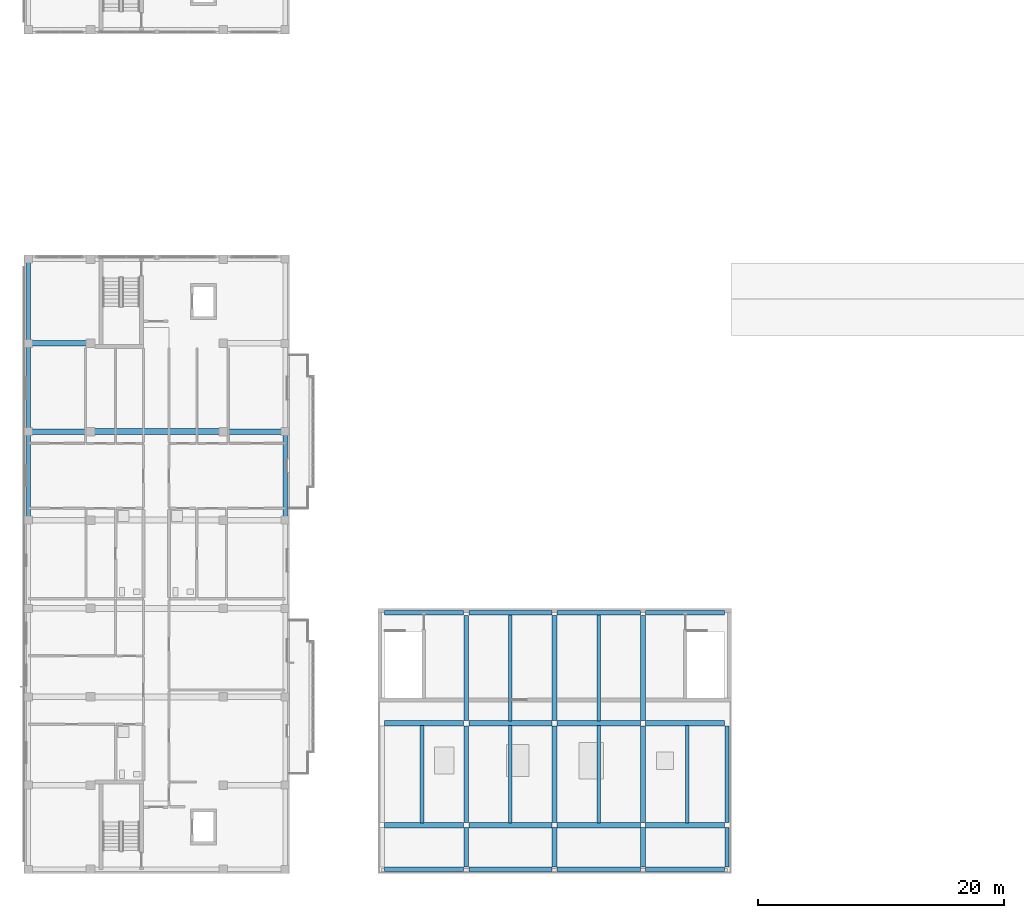
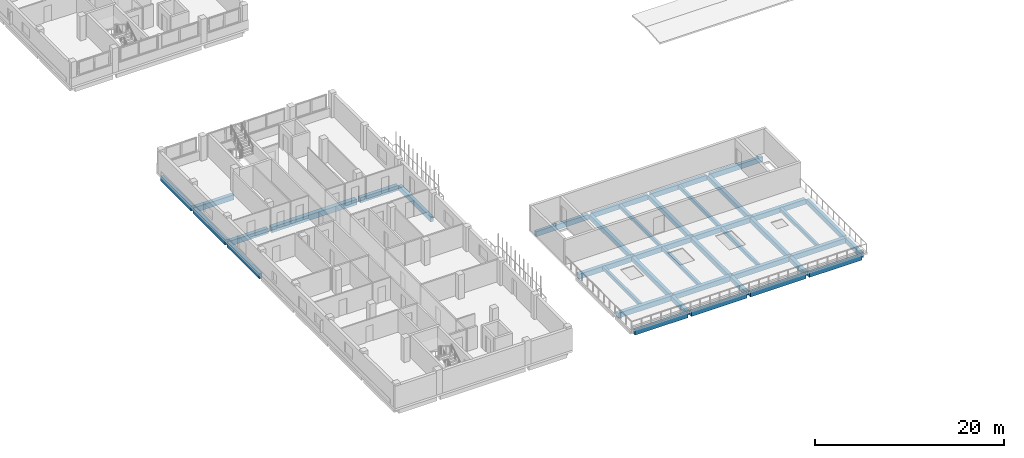
# One storey, part 5 of 56: 41 beams.
"""IFC4 building model written with IfcOpenShell, lengths in metres."""

from ifc_helpers import new_model, si_unit, derived_unit, direction, frame, origin, origin_2d, place, context, subcontext, project, spatial, rectangle, extrude, material, material_profile, profile_set, type_object, element, save


model = new_model("IFC4")

# Units and contexts
model_context = context("Model", 3, precision=1e-05, world=origin(), true_north=direction((0.0, 1.0)))
body_context = subcontext(model_context, "Body", "Model", "MODEL_VIEW")
ifc_project = project(units=[si_unit("LENGTHUNIT", "METRE"), si_unit("AREAUNIT", "SQUARE_METRE"), si_unit("VOLUMEUNIT", "CUBIC_METRE"), si_unit("PLANEANGLEUNIT", "RADIAN"), si_unit("MASSUNIT", "GRAM", prefix="KILO"), derived_unit("THERMALTRANSMITTANCEUNIT", [(si_unit("MASSUNIT", "GRAM", prefix="KILO"), 1), (si_unit("TIMEUNIT", "SECOND"), -3), (si_unit("THERMODYNAMICTEMPERATUREUNIT", "KELVIN"), -1)])], contexts=[model_context])

# Site, building, storey
site_placement = place(None, origin())
site = spatial("IfcSite", under=ifc_project, at=site_placement, CompositionType="ELEMENT")
building_placement = place(site_placement, origin())
building = spatial("IfcBuilding", under=site, at=building_placement, Name="Ochrekiln Boulevard Commons", CompositionType="ELEMENT")
storey_placement = place(building_placement, frame((0.0, 0.0, 12.074951171875)))
storey = spatial("IfcBuildingStorey", under=building, at=storey_placement, Name="L03", CompositionType="ELEMENT", Elevation=12.074951171875)

# Beams
ifc_material_1 = material(Name="Concrete C35/45", Category="concrete")
ifc_material_profile_1 = material_profile(ifc_material_1, rectangle(XDim=0.39990234375, YDim=0.60009765625, at=origin_2d()), Name="RC-BM-400x600")
ifc_profile_set_1 = profile_set([ifc_material_profile_1], Name="Concrete C35/45")
beam_type_1 = type_object("IfcBeamType", Name="BM-RC-400x600", PredefinedType="BEAM", material=ifc_profile_set_1)
beam_1_placement = place(storey_placement, frame((36.0, 0.56005859375, -0.5400390625), z_axis=(0.0, 1.0, 0.0), x_axis=(-1.0, 0.0, 0.0)))
element("IfcBeam", 1, at=beam_1_placement, inside=storey, type_object=beam_type_1, Name="West Boulevard Shops and Arcade L03 Beam B-4060 Y19", PredefinedType="BEAM", context=body_context, shape_type="SweptSolid", body=[
    extrude(rectangle(XDim=0.39990234375, YDim=0.60009765625, at=origin_2d()), origin(), (0.0, 0.0, 1.0), 3.179931640625),
])
beam_2_placement = place(storey_placement, frame((36.0, 4.159912109375, -0.5400390625), z_axis=(0.0, 1.0, 0.0), x_axis=(-1.0, 0.0, 0.0)))
element("IfcBeam", 2, at=beam_2_placement, inside=storey, type_object=beam_type_1, Name="West Boulevard Shops and Arcade L03 Beam B-4060 Y20", PredefinedType="BEAM", context=body_context, shape_type="SweptSolid", body=[
    extrude(rectangle(XDim=0.39990234375, YDim=0.60009765625, at=origin_2d()), origin(), (0.0, 0.0, 1.0), 7.880126953125),
])
beam_3_placement = place(storey_placement, frame((36.0, 12.4599609375, -0.5400390625), z_axis=(0.0, 1.0, 0.0), x_axis=(-1.0, 0.0, 0.0)))
element("IfcBeam", 3, at=beam_3_placement, inside=storey, type_object=beam_type_1, Name="West Boulevard Shops and Arcade L03 Beam B-4060 Y21", PredefinedType="BEAM", context=body_context, shape_type="SweptSolid", body=[
    extrude(rectangle(XDim=0.39990234375, YDim=0.60009765625, at=origin_2d()), origin(), (0.0, 0.0, 1.0), 8.580078125),
])
beam_4_placement = place(storey_placement, frame((43.199951171875, 0.56005859375, -0.5400390625), z_axis=(0.0, 1.0, 0.0), x_axis=(-1.0, 0.0, 0.0)))
element("IfcBeam", 4, at=beam_4_placement, inside=storey, type_object=beam_type_1, Name="West Boulevard Shops and Arcade L03 Beam B-4060 Y22", PredefinedType="BEAM", context=body_context, shape_type="SweptSolid", body=[
    extrude(rectangle(XDim=0.39990234375, YDim=0.60009765625, at=origin_2d()), origin(), (0.0, 0.0, 1.0), 3.179931640625),
])
beam_5_placement = place(storey_placement, frame((43.199951171875, 4.159912109375, -0.5400390625), z_axis=(0.0, 1.0, 0.0), x_axis=(-1.0, 0.0, 0.0)))
element("IfcBeam", 5, at=beam_5_placement, inside=storey, type_object=beam_type_1, Name="West Boulevard Shops and Arcade L03 Beam B-4060 Y23", PredefinedType="BEAM", context=body_context, shape_type="SweptSolid", body=[
    extrude(rectangle(XDim=0.39990234375, YDim=0.60009765625, at=origin_2d()), origin(), (0.0, 0.0, 1.0), 7.880126953125),
])
beam_6_placement = place(storey_placement, frame((43.199951171875, 12.4599609375, -0.5400390625), z_axis=(0.0, 1.0, 0.0), x_axis=(-1.0, 0.0, 0.0)))
element("IfcBeam", 6, at=beam_6_placement, inside=storey, type_object=beam_type_1, Name="West Boulevard Shops and Arcade L03 Beam B-4060 Y24", PredefinedType="BEAM", context=body_context, shape_type="SweptSolid", body=[
    extrude(rectangle(XDim=0.39990234375, YDim=0.60009765625, at=origin_2d()), origin(), (0.0, 0.0, 1.0), 8.580078125),
])
beam_7_placement = place(storey_placement, frame((50.39990234375, 0.56005859375, -0.5400390625), z_axis=(0.0, 1.0, 0.0), x_axis=(-1.0, 0.0, 0.0)))
element("IfcBeam", 7, at=beam_7_placement, inside=storey, type_object=beam_type_1, Name="West Boulevard Shops and Arcade L03 Beam B-4060 Y25", PredefinedType="BEAM", context=body_context, shape_type="SweptSolid", body=[
    extrude(rectangle(XDim=0.39990234375, YDim=0.60009765625, at=origin_2d()), origin(), (0.0, 0.0, 1.0), 3.179931640625),
])
beam_8_placement = place(storey_placement, frame((50.39990234375, 4.159912109375, -0.5400390625), z_axis=(0.0, 1.0, 0.0), x_axis=(-1.0, 0.0, 0.0)))
element("IfcBeam", 8, at=beam_8_placement, inside=storey, type_object=beam_type_1, Name="West Boulevard Shops and Arcade L03 Beam B-4060 Y26", PredefinedType="BEAM", context=body_context, shape_type="SweptSolid", body=[
    extrude(rectangle(XDim=0.39990234375, YDim=0.60009765625, at=origin_2d()), origin(), (0.0, 0.0, 1.0), 7.880126953125),
])
beam_9_placement = place(storey_placement, frame((50.39990234375, 12.4599609375, -0.5400390625), z_axis=(0.0, 1.0, 0.0), x_axis=(-1.0, 0.0, 0.0)))
element("IfcBeam", 9, at=beam_9_placement, inside=storey, type_object=beam_type_1, Name="West Boulevard Shops and Arcade L03 Beam B-4060 Y27", PredefinedType="BEAM", context=body_context, shape_type="SweptSolid", body=[
    extrude(rectangle(XDim=0.39990234375, YDim=0.60009765625, at=origin_2d()), origin(), (0.0, 0.0, 1.0), 8.580078125),
])
ifc_material_profile_2 = material_profile(ifc_material_1, rectangle(XDim=0.449951171875, YDim=0.64990234375, at=origin_2d()), Name="RC-BM-450x650")
ifc_profile_set_2 = profile_set([ifc_material_profile_2], Name="Concrete C35/45")
beam_type_2 = type_object("IfcBeamType", Name="BM-RC-450x650", PredefinedType="BEAM", material=ifc_profile_set_2)
beam_10_placement = place(storey_placement, frame((0.56005859375, 36.0, -0.5849609375), z_axis=(1.0, 0.0, 0.0), x_axis=(0.0, 1.0, 0.0)))
element("IfcBeam", 10, at=beam_10_placement, inside=storey, type_object=beam_type_2, Name="Block D L03 Beam B-4565 X15", PredefinedType="BEAM", context=body_context, shape_type="SweptSolid", body=[
    extrude(rectangle(XDim=0.449951171875, YDim=0.64990234375, at=origin_2d()), origin(), (0.0, 0.0, 1.0), 4.6298828125),
])
beam_11_placement = place(storey_placement, frame((16.409912109375, 36.0, -0.5849609375), z_axis=(1.0, 0.0, 0.0), x_axis=(0.0, 1.0, 0.0)))
element("IfcBeam", 11, at=beam_11_placement, inside=storey, type_object=beam_type_2, Name="Block D L03 Beam B-4565 X17", PredefinedType="BEAM", context=body_context, shape_type="SweptSolid", body=[
    extrude(rectangle(XDim=0.449951171875, YDim=0.64990234375, at=origin_2d()), origin(), (0.0, 0.0, 1.0), 4.630126953125),
])
beam_12_placement = place(storey_placement, frame((0.56005859375, 43.199951171875, -0.5849609375), z_axis=(1.0, 0.0, 0.0), x_axis=(0.0, 1.0, 0.0)))
element("IfcBeam", 12, at=beam_12_placement, inside=storey, type_object=beam_type_2, Name="Block D L03 Beam B-4565 X18", PredefinedType="BEAM", context=body_context, shape_type="SweptSolid", body=[
    extrude(rectangle(XDim=0.449951171875, YDim=0.64990234375, at=origin_2d()), origin(), (0.0, 0.0, 1.0), 4.6298828125),
])
beam_13_placement = place(storey_placement, frame((29.360107421875, 3.949951171875, -0.56494140625), z_axis=(1.0, 0.0, 0.0), x_axis=(0.0, 1.0, 0.0)))
element("IfcBeam", 13, at=beam_13_placement, inside=storey, type_object=beam_type_2, Name="West Boulevard Shops and Arcade L03 Beam B-4565 X5", PredefinedType="BEAM", context=body_context, shape_type="SweptSolid", body=[
    extrude(rectangle(XDim=0.449951171875, YDim=0.64990234375, at=origin_2d()), origin(), (0.0, 0.0, 1.0), 6.429931640625),
])
for number, where, z_axis, x_axis, name in (
    (14, (36.2099609375, 3.949951171875, -0.56494140625), (1.0, 0.0, 0.0), (0.0, 1.0, 0.0), "West Boulevard Shops and Arcade L03 Beam B-4565 X6"),
    (15, (43.409912109375, 3.949951171875, -0.56494140625), (1.0, 0.0, 0.0), (0.0, 1.0, 0.0), "West Boulevard Shops and Arcade L03 Beam B-4565 X7"),
):
    element("IfcBeam", number, at=place(storey_placement, frame(where, z_axis=z_axis, x_axis=x_axis)), inside=storey, type_object=beam_type_2, Name=name, PredefinedType="BEAM", context=body_context, shape_type="SweptSolid", body=[
        extrude(rectangle(XDim=0.449951171875, YDim=0.64990234375, at=origin_2d()), origin(), (0.0, 0.0, 1.0), 6.780029296875),
    ])
for number, where, z_axis, x_axis, name in (
    (16, (50.610107421875, 3.949951171875, -0.56494140625), (1.0, 0.0, 0.0), (0.0, 1.0, 0.0), "West Boulevard Shops and Arcade L03 Beam B-4565 X8"),
    (17, (29.360107421875, 12.25, -0.56494140625), (1.0, 0.0, 0.0), (0.0, 1.0, 0.0), "West Boulevard Shops and Arcade L03 Beam B-4565 X9"),
):
    element("IfcBeam", number, at=place(storey_placement, frame(where, z_axis=z_axis, x_axis=x_axis)), inside=storey, type_object=beam_type_2, Name=name, PredefinedType="BEAM", context=body_context, shape_type="SweptSolid", body=[
        extrude(rectangle(XDim=0.449951171875, YDim=0.64990234375, at=origin_2d()), origin(), (0.0, 0.0, 1.0), 6.429931640625),
    ])
for number, where, z_axis, x_axis, name in (
    (18, (36.2099609375, 12.25, -0.56494140625), (1.0, 0.0, 0.0), (0.0, 1.0, 0.0), "West Boulevard Shops and Arcade L03 Beam B-4565 X10"),
    (19, (43.409912109375, 12.25, -0.56494140625), (1.0, 0.0, 0.0), (0.0, 1.0, 0.0), "West Boulevard Shops and Arcade L03 Beam B-4565 X11"),
):
    element("IfcBeam", number, at=place(storey_placement, frame(where, z_axis=z_axis, x_axis=x_axis)), inside=storey, type_object=beam_type_2, Name=name, PredefinedType="BEAM", context=body_context, shape_type="SweptSolid", body=[
        extrude(rectangle(XDim=0.449951171875, YDim=0.64990234375, at=origin_2d()), origin(), (0.0, 0.0, 1.0), 6.780029296875),
    ])
beam_14_placement = place(storey_placement, frame((50.610107421875, 12.25, -0.56494140625), z_axis=(1.0, 0.0, 0.0), x_axis=(0.0, 1.0, 0.0)))
element("IfcBeam", 20, at=beam_14_placement, inside=storey, type_object=beam_type_2, Name="West Boulevard Shops and Arcade L03 Beam B-4565 X12", PredefinedType="BEAM", context=body_context, shape_type="SweptSolid", body=[
    extrude(rectangle(XDim=0.449951171875, YDim=0.64990234375, at=origin_2d()), origin(), (0.0, 0.0, 1.0), 6.429931640625),
])
ifc_material_2 = material(Name="Concrete C40/50", Category="concrete")
ifc_material_profile_3 = material_profile(ifc_material_2, rectangle(XDim=0.5, YDim=0.699951171875, at=origin_2d()), Name="RC-BM-500x700")
ifc_profile_set_3 = profile_set([ifc_material_profile_3], Name="Concrete C40/50")
beam_type_3 = type_object("IfcBeamType", Name="BM-RC-500x700", PredefinedType="BEAM", material=ifc_profile_set_3)
beam_15_placement = place(storey_placement, frame((5.610107421875, 36.0, -0.60986328125), z_axis=(1.0, 0.0, 0.0), x_axis=(0.0, 1.0, 0.0)))
element("IfcBeam", 21, at=beam_15_placement, inside=storey, type_object=beam_type_3, Name="Block D L03 Beam B-5070 X16", PredefinedType="BEAM", context=body_context, shape_type="SweptSolid", body=[
    extrude(rectangle(XDim=0.5, YDim=0.699951171875, at=origin_2d()), origin(), (0.0, 0.0, 1.0), 10.3798828125),
])
ifc_material_profile_4 = material_profile(ifc_material_1, rectangle(XDim=0.300048828125, YDim=0.449951171875, at=origin_2d()), Name="RC-JST-300x450")
ifc_profile_set_4 = profile_set([ifc_material_profile_4], Name="Concrete C35/45")
beam_type_4 = type_object("IfcBeamType", Name="JST-RC-300x450", PredefinedType="JOIST", material=ifc_profile_set_4)
for number, where, z_axis, x_axis, name in (
    (22, (32.39990234375, 4.1201171875, -0.46484375), (0.0, 1.0, 0.0), (-1.0, 0.0, 0.0), "Boulevard Arcade L03 Floor Joist J-3045 (13)"),
    (23, (39.60009765625, 4.1201171875, -0.46484375), (0.0, 1.0, 0.0), (-1.0, 0.0, 0.0), "Boulevard Arcade L03 Floor Joist J-3045 (14)"),
):
    element("IfcBeam", number, at=place(storey_placement, frame(where, z_axis=z_axis, x_axis=x_axis)), inside=storey, type_object=beam_type_4, Name=name, PredefinedType="JOIST", context=body_context, shape_type="SweptSolid", body=[
        extrude(rectangle(XDim=0.300048828125, YDim=0.449951171875, at=origin_2d()), origin(), (0.0, 0.0, 1.0), 7.9599609375),
    ])
beam_16_placement = place(storey_placement, frame((39.60009765625, 12.419921875, -0.46484375), z_axis=(0.0, 1.0, 0.0), x_axis=(-1.0, 0.0, 0.0)))
element("IfcBeam", 24, at=beam_16_placement, inside=storey, type_object=beam_type_4, Name="Boulevard Arcade L03 Floor Joist J-3045 (15)", PredefinedType="JOIST", context=body_context, shape_type="SweptSolid", body=[
    extrude(rectangle(XDim=0.300048828125, YDim=0.449951171875, at=origin_2d()), origin(), (0.0, 0.0, 1.0), 8.66015625),
])
beam_17_placement = place(storey_placement, frame((46.800048828125, 4.1201171875, -0.46484375), z_axis=(0.0, 1.0, 0.0), x_axis=(-1.0, 0.0, 0.0)))
element("IfcBeam", 25, at=beam_17_placement, inside=storey, type_object=beam_type_4, Name="Boulevard Arcade L03 Floor Joist J-3045 (16)", PredefinedType="JOIST", context=body_context, shape_type="SweptSolid", body=[
    extrude(rectangle(XDim=0.300048828125, YDim=0.449951171875, at=origin_2d()), origin(), (0.0, 0.0, 1.0), 7.9599609375),
])
beam_18_placement = place(storey_placement, frame((46.800048828125, 12.419921875, -0.46484375), z_axis=(0.0, 1.0, 0.0), x_axis=(-1.0, 0.0, 0.0)))
element("IfcBeam", 26, at=beam_18_placement, inside=storey, type_object=beam_type_4, Name="Boulevard Arcade L03 Floor Joist J-3045 (17)", PredefinedType="JOIST", context=body_context, shape_type="SweptSolid", body=[
    extrude(rectangle(XDim=0.300048828125, YDim=0.449951171875, at=origin_2d()), origin(), (0.0, 0.0, 1.0), 8.66015625),
])
beam_19_placement = place(storey_placement, frame((54.0, 4.1201171875, -0.46484375), z_axis=(0.0, 1.0, 0.0), x_axis=(-1.0, 0.0, 0.0)))
element("IfcBeam", 27, at=beam_19_placement, inside=storey, type_object=beam_type_4, Name="Boulevard Arcade L03 Floor Joist J-3045 (18)", PredefinedType="JOIST", context=body_context, shape_type="SweptSolid", body=[
    extrude(rectangle(XDim=0.300048828125, YDim=0.449951171875, at=origin_2d()), origin(), (0.0, 0.0, 1.0), 7.9599609375),
])
ifc_material_profile_5 = material_profile(ifc_material_2, rectangle(XDim=0.35009765625, YDim=0.64990234375, at=origin_2d()), Name="RC-SPN-350x650")
ifc_profile_set_5 = profile_set([ifc_material_profile_5], Name="Concrete C40/50")
beam_type_5 = type_object("IfcBeamType", Name="SPN-RC-350x650", PredefinedType="SPANDREL", material=ifc_profile_set_5)
for number, where, z_axis, x_axis, name in (
    (28, (0.35009765625, 29.010009765625, -0.5849609375), (0.0, 1.0, 0.0), (-1.0, 0.0, 0.0), "Block D L03 Beam SP-3565 Y27"),
    (29, (0.35009765625, 36.2099609375, -0.5849609375), (0.0, 1.0, 0.0), (-1.0, 0.0, 0.0), "Block D L03 Beam SP-3565 Y28"),
):
    element("IfcBeam", number, at=place(storey_placement, frame(where, z_axis=z_axis, x_axis=x_axis)), inside=storey, type_object=beam_type_5, Name=name, PredefinedType="SPANDREL", context=body_context, shape_type="SweptSolid", body=[
        extrude(rectangle(XDim=0.35009765625, YDim=0.64990234375, at=origin_2d()), origin(), (0.0, 0.0, 1.0), 6.780029296875),
    ])
beam_20_placement = place(storey_placement, frame((0.35009765625, 43.409912109375, -0.5849609375), z_axis=(0.0, 1.0, 0.0), x_axis=(-1.0, 0.0, 0.0)))
element("IfcBeam", 30, at=beam_20_placement, inside=storey, type_object=beam_type_5, Name="Block D L03 Beam SP-3565 Y29", PredefinedType="SPANDREL", context=body_context, shape_type="SweptSolid", body=[
    extrude(rectangle(XDim=0.35009765625, YDim=0.64990234375, at=origin_2d()), origin(), (0.0, 0.0, 1.0), 6.43017578125),
])
beam_21_placement = place(storey_placement, frame((21.25, 29.010009765625, -0.5849609375), z_axis=(0.0, 1.0, 0.0), x_axis=(-1.0, 0.0, 0.0)))
element("IfcBeam", 31, at=beam_21_placement, inside=storey, type_object=beam_type_5, Name="Block D L03 Beam SP-3565 Y34", PredefinedType="SPANDREL", context=body_context, shape_type="SweptSolid", body=[
    extrude(rectangle(XDim=0.35009765625, YDim=0.64990234375, at=origin_2d()), origin(), (0.0, 0.0, 1.0), 6.780029296875),
])
beam_22_placement = place(storey_placement, frame((29.360107421875, 0.35009765625, -0.56494140625), z_axis=(1.0, 0.0, 0.0), x_axis=(0.0, 1.0, 0.0)))
element("IfcBeam", 32, at=beam_22_placement, inside=storey, type_object=beam_type_5, Name="West Boulevard Shops and Arcade L03 Beam SP-3565 X1", PredefinedType="SPANDREL", context=body_context, shape_type="SweptSolid", body=[
    extrude(rectangle(XDim=0.35009765625, YDim=0.64990234375, at=origin_2d()), origin(), (0.0, 0.0, 1.0), 6.429931640625),
])
for number, where, z_axis, x_axis, name in (
    (33, (36.2099609375, 0.35009765625, -0.56494140625), (1.0, 0.0, 0.0), (0.0, 1.0, 0.0), "West Boulevard Shops and Arcade L03 Beam SP-3565 X2"),
    (34, (43.409912109375, 0.35009765625, -0.56494140625), (1.0, 0.0, 0.0), (0.0, 1.0, 0.0), "West Boulevard Shops and Arcade L03 Beam SP-3565 X3"),
):
    element("IfcBeam", number, at=place(storey_placement, frame(where, z_axis=z_axis, x_axis=x_axis)), inside=storey, type_object=beam_type_5, Name=name, PredefinedType="SPANDREL", context=body_context, shape_type="SweptSolid", body=[
        extrude(rectangle(XDim=0.35009765625, YDim=0.64990234375, at=origin_2d()), origin(), (0.0, 0.0, 1.0), 6.780029296875),
    ])
for number, where, z_axis, x_axis, name in (
    (35, (50.610107421875, 0.35009765625, -0.56494140625), (1.0, 0.0, 0.0), (0.0, 1.0, 0.0), "West Boulevard Shops and Arcade L03 Beam SP-3565 X4"),
    (36, (29.360107421875, 21.25, -0.56494140625), (1.0, 0.0, 0.0), (0.0, 1.0, 0.0), "West Boulevard Shops and Arcade L03 Beam SP-3565 X13"),
):
    element("IfcBeam", number, at=place(storey_placement, frame(where, z_axis=z_axis, x_axis=x_axis)), inside=storey, type_object=beam_type_5, Name=name, PredefinedType="SPANDREL", context=body_context, shape_type="SweptSolid", body=[
        extrude(rectangle(XDim=0.35009765625, YDim=0.64990234375, at=origin_2d()), origin(), (0.0, 0.0, 1.0), 6.429931640625),
    ])
for number, where, z_axis, x_axis, name in (
    (37, (36.2099609375, 21.25, -0.56494140625), (1.0, 0.0, 0.0), (0.0, 1.0, 0.0), "West Boulevard Shops and Arcade L03 Beam SP-3565 X14"),
    (38, (43.409912109375, 21.25, -0.56494140625), (1.0, 0.0, 0.0), (0.0, 1.0, 0.0), "West Boulevard Shops and Arcade L03 Beam SP-3565 X15"),
):
    element("IfcBeam", number, at=place(storey_placement, frame(where, z_axis=z_axis, x_axis=x_axis)), inside=storey, type_object=beam_type_5, Name=name, PredefinedType="SPANDREL", context=body_context, shape_type="SweptSolid", body=[
        extrude(rectangle(XDim=0.35009765625, YDim=0.64990234375, at=origin_2d()), origin(), (0.0, 0.0, 1.0), 6.780029296875),
    ])
beam_23_placement = place(storey_placement, frame((50.610107421875, 21.25, -0.56494140625), z_axis=(1.0, 0.0, 0.0), x_axis=(0.0, 1.0, 0.0)))
element("IfcBeam", 39, at=beam_23_placement, inside=storey, type_object=beam_type_5, Name="West Boulevard Shops and Arcade L03 Beam SP-3565 X16", PredefinedType="SPANDREL", context=body_context, shape_type="SweptSolid", body=[
    extrude(rectangle(XDim=0.35009765625, YDim=0.64990234375, at=origin_2d()), origin(), (0.0, 0.0, 1.0), 6.429931640625),
])
beam_24_placement = place(storey_placement, frame((57.25, 0.56005859375, -0.56494140625), z_axis=(0.0, 1.0, 0.0), x_axis=(-1.0, 0.0, 0.0)))
element("IfcBeam", 40, at=beam_24_placement, inside=storey, type_object=beam_type_5, Name="West Boulevard Shops and Arcade L03 Beam SP-3565 Y28", PredefinedType="SPANDREL", context=body_context, shape_type="SweptSolid", body=[
    extrude(rectangle(XDim=0.35009765625, YDim=0.64990234375, at=origin_2d()), origin(), (0.0, 0.0, 1.0), 3.179931640625),
])
beam_25_placement = place(storey_placement, frame((57.25, 4.159912109375, -0.56494140625), z_axis=(0.0, 1.0, 0.0), x_axis=(-1.0, 0.0, 0.0)))
element("IfcBeam", 41, at=beam_25_placement, inside=storey, type_object=beam_type_5, Name="West Boulevard Shops and Arcade L03 Beam SP-3565 Y29", PredefinedType="SPANDREL", context=body_context, shape_type="SweptSolid", body=[
    extrude(rectangle(XDim=0.35009765625, YDim=0.64990234375, at=origin_2d()), origin(), (0.0, 0.0, 1.0), 7.880126953125),
])

save(model, "model.ifc")
